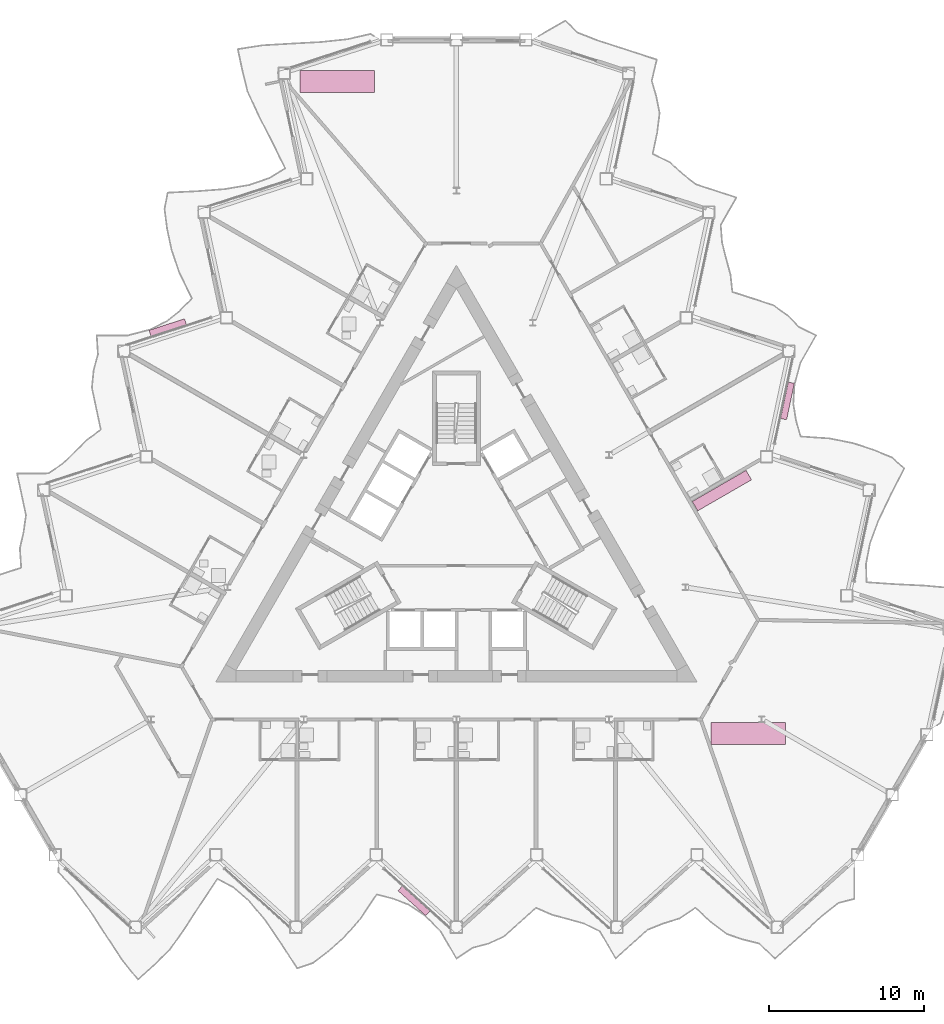
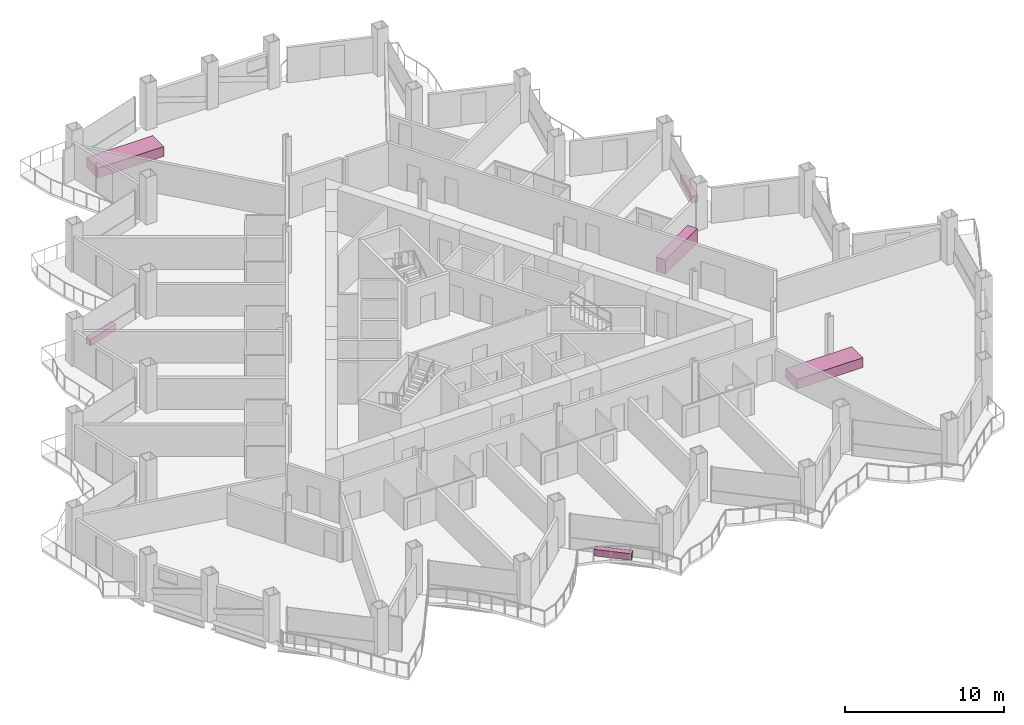
# One storey, part 23 of 23: 6 furniture elements.
"""IFC4 building model written with IfcOpenShell, lengths in metres."""

from ifc_helpers import new_model, si_unit, direction, frame, origin, origin_2d, place, context, subcontext, project, spatial, rectangle, extrude, material, type_object, element, save


model = new_model("IFC4")

# Units and contexts
model_context = context("Model", 3, precision=1e-05, world=origin(), true_north=direction((0.0, 1.0)))
body_context = subcontext(model_context, "Body", "Model", "MODEL_VIEW")
ifc_project = project(units=[si_unit("LENGTHUNIT", "METRE"), si_unit("AREAUNIT", "SQUARE_METRE"), si_unit("VOLUMEUNIT", "CUBIC_METRE"), si_unit("PLANEANGLEUNIT", "RADIAN"), si_unit("MASSUNIT", "GRAM", prefix="KILO")], contexts=[model_context])

# Site, building, storey
site_placement = place(None, origin())
site = spatial("IfcSite", under=ifc_project, at=site_placement, CompositionType="ELEMENT")
building_placement = place(site_placement, origin())
building = spatial("IfcBuilding", under=site, at=building_placement, Name="Cormorant Prow Tower", CompositionType="ELEMENT")
storey_placement = place(building_placement, frame((0.0, 0.0, 183.60009765625)))
storey = spatial("IfcBuildingStorey", under=building, at=storey_placement, Name="L39", CompositionType="ELEMENT", Elevation=183.60009765625)

# Furniture
ifc_material_1 = material(Name="Terracotta", Category="masonry")
furniture_type_1 = type_object("IfcFurnitureType", Name="Balcony planter 2400x400x500", AssemblyPlace="NOTDEFINED", PredefinedType="USERDEFINED", material=ifc_material_1)
for number, where, z_axis, x_axis, name in (
    (1, (-2.73095703125, -23.03564453125, 0.0), (0.0, 0.0, 1.0), (0.743144845716, -0.669130583881, 0.0), "Balcony planter S04"),
    (2, (21.31494140625, 9.15283203125, 0.0), (0.0, 0.0, 1.0), (0.207911763151, 0.978147585359, 0.0), "Balcony planter ENE04"),
    (3, (-18.583984375, 13.8828125, 0.0), (0.0, 0.0, 1.0), (-0.951056498556, -0.309017048969, 0.0), "Balcony planter WNW04"),
):
    element("IfcFurniture", number, at=place(storey_placement, frame(where, z_axis=z_axis, x_axis=x_axis)), inside=storey, type_object=furniture_type_1, Name=name, ObjectType="PLANTER", PredefinedType="USERDEFINED", context=body_context, shape_type="SweptSolid", body=[
        extrude(rectangle(XDim=2.39990234375, YDim=0.39990234375, at=origin_2d()), origin(), (0.0, 0.0, 1.0), 0.5),
    ])
ifc_material_2 = material(Name="Timber joinery", Category="wood")
furniture_type_2 = type_object("IfcFurnitureType", Name="Bar counter 4000x700", AssemblyPlace="NOTDEFINED", PredefinedType="NOTDEFINED", material=ifc_material_2)
furniture_placement = place(storey_placement, frame((17.09521484375, 3.378173828125, -0.000244140625), z_axis=(0.0, 0.0, 1.0), x_axis=(0.866025403784, 0.5, 0.0)))
element("IfcFurniture", 4, at=furniture_placement, inside=storey, type_object=furniture_type_2, Name="Bar counter", PredefinedType="NOTDEFINED", context=body_context, shape_type="SweptSolid", body=[
    extrude(rectangle(XDim=4.0, YDim=0.699951171875, at=origin_2d()), origin(), (0.0, 0.0, 1.0), 1.10009765625),
])
ifc_material_3 = material(Name="Timber joinery", Category="wood")
furniture_type_3 = type_object("IfcFurnitureType", Name="Conference table 4800x1400", AssemblyPlace="NOTDEFINED", PredefinedType="TABLE", material=ifc_material_3)
for number, where, z_axis, x_axis, name in (
    (5, (18.784912109375, -12.25341796875, 0.0), (0.0, 0.0, 1.0), (1.0, 0.0, 0.0), "Conference table"),
    (6, (-7.684326171875, 29.7275390625, 0.0), (0.0, 0.0, 1.0), (1.0, 0.0, 0.0), "Conference table"),
):
    element("IfcFurniture", number, at=place(storey_placement, frame(where, z_axis=z_axis, x_axis=x_axis)), inside=storey, type_object=furniture_type_3, Name=name, PredefinedType="TABLE", context=body_context, shape_type="SweptSolid", body=[
        extrude(rectangle(XDim=4.800048828125, YDim=1.39990234375, at=origin_2d()), origin(), (0.0, 0.0, 1.0), 0.75),
    ])

save(model, "model.ifc")
